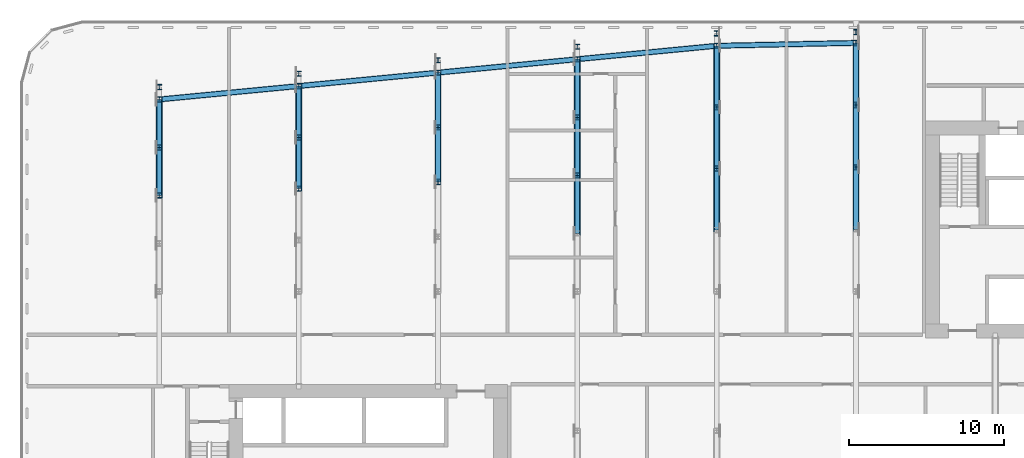
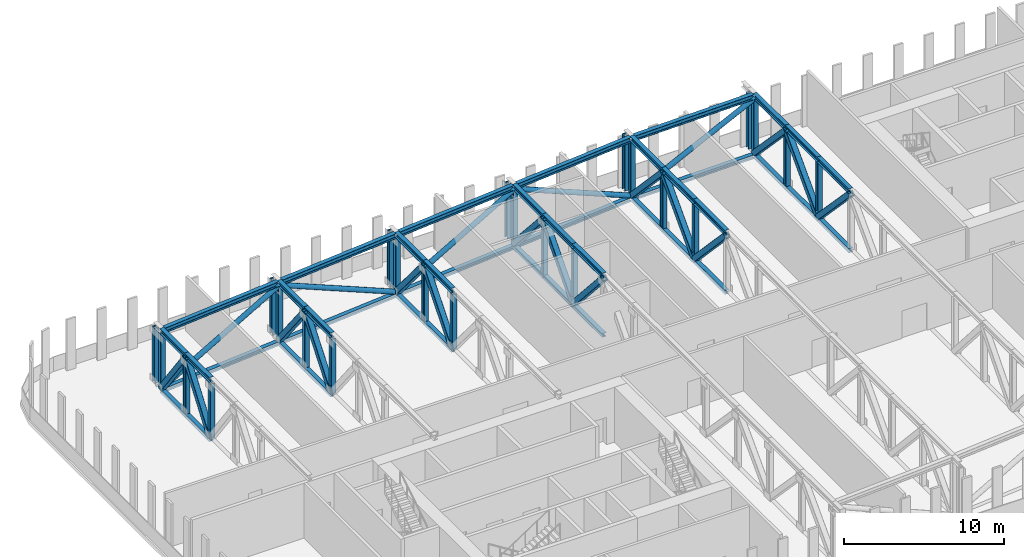
# One storey, part 3 of 22: 84 members.
"""IFC4 building model written with IfcOpenShell, lengths in metres."""

from ifc_helpers import new_model, si_unit, direction, frame, origin, origin_2d, place, context, subcontext, project, spatial, hollow_rectangle, hollow_circle, i_section, extrude, material, material_profile, profile_set, type_object, element, save


model = new_model("IFC4")

# Units and contexts
model_context = context("Model", 3, precision=1e-05, world=origin(), true_north=direction((0.0, 1.0)))
body_context = subcontext(model_context, "Body", "Model", "MODEL_VIEW")
ifc_project = project(units=[si_unit("LENGTHUNIT", "METRE"), si_unit("AREAUNIT", "SQUARE_METRE"), si_unit("VOLUMEUNIT", "CUBIC_METRE"), si_unit("PLANEANGLEUNIT", "RADIAN"), si_unit("MASSUNIT", "GRAM", prefix="KILO")], contexts=[model_context])

# Site, building, storey
site_placement = place(None, origin())
site = spatial("IfcSite", under=ifc_project, at=site_placement, CompositionType="ELEMENT")
building_placement = place(site_placement, origin())
building = spatial("IfcBuilding", under=site, at=building_placement, Name="Kajstack Hotel Tower", CompositionType="ELEMENT")
storey_placement = place(building_placement, frame((0.0, 0.0, 99.60009765625)))
storey = spatial("IfcBuildingStorey", under=building, at=storey_placement, Name="L21", CompositionType="ELEMENT", Elevation=99.60009765625)

# Members
ifc_material = material(Name="Steel S355J2", Category="steel")
ifc_material_profile_1 = material_profile(ifc_material, i_section(OverallWidth=0.300048828125, OverallDepth=0.300048828125, WebThickness=0.010986328125, FlangeThickness=0.01904296875, FilletRadius=0.027099609375, at=origin_2d()), Name="HEB 300")
ifc_profile_set_1 = profile_set([ifc_material_profile_1], Name="Steel S355J2")
member_type_1 = type_object("IfcMemberType", Name="Belt truss bottom chord BB2 HEB 300", PredefinedType="CHORD", material=ifc_profile_set_1)
for number, where, z_axis, x_axis, name in (
    (1, (-35.8505859375, 16.91015625, -0.150146484375), (0.995395510024, 0.095852900965, 0.0), (-0.095852900965, 0.995395510024, 0.0), "S-belt-truss-L21-n01-b"),
    (2, (-26.8505859375, 17.77685546875, -0.150146484375), (0.995398174412, 0.095825228294, 0.0), (-0.095825228294, 0.995398174412, 0.0), "S-belt-truss-L21-n02-b"),
    (3, (-17.8505859375, 18.643310546875, -0.150146484375), (0.995395510024, 0.095852900965, 0.0), (-0.095852900965, 0.995395510024, 0.0), "S-belt-truss-L21-n03-b"),
    (4, (-8.8505859375, 19.510009765625, -0.150146484375), (0.995395510024, 0.095852900965, 0.0), (-0.095852900965, 0.995395510024, 0.0), "S-belt-truss-L21-n04-b"),
):
    element("IfcMember", number, at=place(storey_placement, frame(where, z_axis=z_axis, x_axis=x_axis)), inside=storey, type_object=member_type_1, Name=name, PredefinedType="CHORD", context=body_context, shape_type="SweptSolid", body=[
        extrude(i_section(OverallWidth=0.300048828125, OverallDepth=0.300048828125, WebThickness=0.010986328125, FlangeThickness=0.01904296875, FilletRadius=0.027099609375, at=origin_2d()), origin(), (0.0, 0.0, 1.0), 8.741455078125),
    ])
member_1_placement = place(storey_placement, frame((0.14990234375, 20.365234375, -0.150146484375), z_axis=(0.999782130705, 0.020873215435, 0.0), x_axis=(-0.020873215435, 0.999782130705, 0.0)))
element("IfcMember", 5, at=member_1_placement, inside=storey, type_object=member_type_1, Name="S-belt-truss-L21-n05-b", PredefinedType="CHORD", context=body_context, shape_type="SweptSolid", body=[
    extrude(i_section(OverallWidth=0.300048828125, OverallDepth=0.300048828125, WebThickness=0.010986328125, FlangeThickness=0.01904296875, FilletRadius=0.027099609375, at=origin_2d()), origin(), (0.0, 0.0, 1.0), 8.7021484375),
])
ifc_material_profile_2 = material_profile(ifc_material, i_section(OverallWidth=0.300048828125, OverallDepth=0.300048828125, WebThickness=0.010986328125, FlangeThickness=0.01904296875, FilletRadius=0.027099609375, at=origin_2d()), Name="HEB 300")
ifc_profile_set_2 = profile_set([ifc_material_profile_2], Name="Steel S355J2")
member_type_2 = type_object("IfcMemberType", Name="Belt truss bottom chord BC2 HEB 300", PredefinedType="CHORD", material=ifc_profile_set_2)
for number, where, z_axis, x_axis, name in (
    (6, (-36.0, 10.697998046875, -0.150146484375), (0.0, 1.0, 0.0), (-1.0, 0.0, 0.0), "S-belt-truss-L21--36p0-1-bc10"),
    (7, (-36.0, 13.796875, -0.150146484375), (0.0, 1.0, 0.0), (-1.0, 0.0, 0.0), "S-belt-truss-L21--36p0-1-bc11"),
):
    element("IfcMember", number, at=place(storey_placement, frame(where, z_axis=z_axis, x_axis=x_axis)), inside=storey, type_object=member_type_2, Name=name, PredefinedType="CHORD", context=body_context, shape_type="SweptSolid", body=[
        extrude(i_section(OverallWidth=0.300048828125, OverallDepth=0.300048828125, WebThickness=0.010986328125, FlangeThickness=0.01904296875, FilletRadius=0.027099609375, at=origin_2d()), origin(), (0.0, 0.0, 1.0), 3.098876953125),
    ])
for number, where, z_axis, x_axis, name in (
    (8, (-27.0, 11.131103515625, -0.150146484375), (0.0, 1.0, 0.0), (-1.0, 0.0, 0.0), "S-outrigger-truss-L21--27p0-1-bc10"),
    (9, (-27.0, 14.44677734375, -0.150146484375), (0.0, 1.0, 0.0), (-1.0, 0.0, 0.0), "S-outrigger-truss-L21--27p0-1-bc11"),
):
    element("IfcMember", number, at=place(storey_placement, frame(where, z_axis=z_axis, x_axis=x_axis)), inside=storey, type_object=member_type_2, Name=name, PredefinedType="CHORD", context=body_context, shape_type="SweptSolid", body=[
        extrude(i_section(OverallWidth=0.300048828125, OverallDepth=0.300048828125, WebThickness=0.010986328125, FlangeThickness=0.01904296875, FilletRadius=0.027099609375, at=origin_2d()), origin(), (0.0, 0.0, 1.0), 3.315673828125),
    ])
for number, where, z_axis, x_axis, name in (
    (10, (-18.0, 11.564453125, -0.150146484375), (0.0, 1.0, 0.0), (-1.0, 0.0, 0.0), "S-outrigger-truss-L21--18p0-1-bc10"),
    (11, (-18.0, 15.0966796875, -0.150146484375), (0.0, 1.0, 0.0), (-1.0, 0.0, 0.0), "S-outrigger-truss-L21--18p0-1-bc11"),
):
    element("IfcMember", number, at=place(storey_placement, frame(where, z_axis=z_axis, x_axis=x_axis)), inside=storey, type_object=member_type_2, Name=name, PredefinedType="CHORD", context=body_context, shape_type="SweptSolid", body=[
        extrude(i_section(OverallWidth=0.300048828125, OverallDepth=0.300048828125, WebThickness=0.010986328125, FlangeThickness=0.01904296875, FilletRadius=0.027099609375, at=origin_2d()), origin(), (0.0, 0.0, 1.0), 3.5322265625),
    ])
member_2_placement = place(storey_placement, frame((-9.0, 8.248779296875, -0.150146484375), z_axis=(0.0, 1.0, 0.0), x_axis=(-1.0, 0.0, 0.0)))
element("IfcMember", 12, at=member_2_placement, inside=storey, type_object=member_type_2, Name="S-belt-truss-L21--9p0-1-bc18", PredefinedType="CHORD", context=body_context, shape_type="SweptSolid", body=[
    extrude(i_section(OverallWidth=0.300048828125, OverallDepth=0.300048828125, WebThickness=0.010986328125, FlangeThickness=0.01904296875, FilletRadius=0.027099609375, at=origin_2d()), origin(), (0.0, 0.0, 1.0), 3.7490234375),
])
member_3_placement = place(storey_placement, frame((-9.0, 11.997802734375, -0.150146484375), z_axis=(0.0, 1.0, 0.0), x_axis=(-1.0, 0.0, 0.0)))
element("IfcMember", 13, at=member_3_placement, inside=storey, type_object=member_type_2, Name="S-belt-truss-L21--9p0-1-bc19", PredefinedType="CHORD", context=body_context, shape_type="SweptSolid", body=[
    extrude(i_section(OverallWidth=0.300048828125, OverallDepth=0.300048828125, WebThickness=0.010986328125, FlangeThickness=0.01904296875, FilletRadius=0.027099609375, at=origin_2d()), origin(), (0.0, 0.0, 1.0), 3.748779296875),
])
member_4_placement = place(storey_placement, frame((-9.0, 15.74658203125, -0.150146484375), z_axis=(0.0, 1.0, 0.0), x_axis=(-1.0, 0.0, 0.0)))
element("IfcMember", 14, at=member_4_placement, inside=storey, type_object=member_type_2, Name="S-belt-truss-L21--9p0-1-bc20", PredefinedType="CHORD", context=body_context, shape_type="SweptSolid", body=[
    extrude(i_section(OverallWidth=0.300048828125, OverallDepth=0.300048828125, WebThickness=0.010986328125, FlangeThickness=0.01904296875, FilletRadius=0.027099609375, at=origin_2d()), origin(), (0.0, 0.0, 1.0), 3.7490234375),
])
for number, where, z_axis, x_axis, name in (
    (15, (0.0, 8.465576171875, -0.150146484375), (0.0, 1.0, 0.0), (-1.0, 0.0, 0.0), "S-belt-truss-L21-+0p0-1-bc19"),
    (16, (0.0, 12.43115234375, -0.150146484375), (0.0, 1.0, 0.0), (-1.0, 0.0, 0.0), "S-belt-truss-L21-+0p0-1-bc20"),
    (17, (0.0, 16.396728515625, -0.150146484375), (0.0, 1.0, 0.0), (-1.0, 0.0, 0.0), "S-belt-truss-L21-+0p0-1-bc21"),
):
    element("IfcMember", number, at=place(storey_placement, frame(where, z_axis=z_axis, x_axis=x_axis)), inside=storey, type_object=member_type_2, Name=name, PredefinedType="CHORD", context=body_context, shape_type="SweptSolid", body=[
        extrude(i_section(OverallWidth=0.300048828125, OverallDepth=0.300048828125, WebThickness=0.010986328125, FlangeThickness=0.01904296875, FilletRadius=0.027099609375, at=origin_2d()), origin(), (0.0, 0.0, 1.0), 3.965576171875),
    ])
member_5_placement = place(storey_placement, frame((9.0, 8.512451171875, -0.150146484375), z_axis=(0.0, 1.0, 0.0), x_axis=(-1.0, 0.0, 0.0)))
element("IfcMember", 18, at=member_5_placement, inside=storey, type_object=member_type_2, Name="S-belt-truss-L21-+9p0-1-bc20", PredefinedType="CHORD", context=body_context, shape_type="SweptSolid", body=[
    extrude(i_section(OverallWidth=0.300048828125, OverallDepth=0.300048828125, WebThickness=0.010986328125, FlangeThickness=0.01904296875, FilletRadius=0.027099609375, at=origin_2d()), origin(), (0.0, 0.0, 1.0), 4.012451171875),
])
member_6_placement = place(storey_placement, frame((9.0, 12.52490234375, -0.150146484375), z_axis=(0.0, 1.0, 0.0), x_axis=(-1.0, 0.0, 0.0)))
element("IfcMember", 19, at=member_6_placement, inside=storey, type_object=member_type_2, Name="S-belt-truss-L21-+9p0-1-bc21", PredefinedType="CHORD", context=body_context, shape_type="SweptSolid", body=[
    extrude(i_section(OverallWidth=0.300048828125, OverallDepth=0.300048828125, WebThickness=0.010986328125, FlangeThickness=0.01904296875, FilletRadius=0.027099609375, at=origin_2d()), origin(), (0.0, 0.0, 1.0), 4.0126953125),
])
member_7_placement = place(storey_placement, frame((9.0, 16.53759765625, -0.150146484375), z_axis=(0.0, 1.0, 0.0), x_axis=(-1.0, 0.0, 0.0)))
element("IfcMember", 20, at=member_7_placement, inside=storey, type_object=member_type_2, Name="S-belt-truss-L21-+9p0-1-bc22", PredefinedType="CHORD", context=body_context, shape_type="SweptSolid", body=[
    extrude(i_section(OverallWidth=0.300048828125, OverallDepth=0.300048828125, WebThickness=0.010986328125, FlangeThickness=0.01904296875, FilletRadius=0.027099609375, at=origin_2d()), origin(), (0.0, 0.0, 1.0), 4.012451171875),
])
ifc_material_profile_3 = material_profile(ifc_material, hollow_circle(Radius=0.177734375, WallThickness=0.01611328125, at=origin_2d()), Name="CHS 355.6x16")
ifc_profile_set_3 = profile_set([ifc_material_profile_3], Name="Steel S355J2")
member_type_3 = type_object("IfcMemberType", Name="Belt truss diagonal BD2 CHS 355.6x16", PredefinedType="BRACE", material=ifc_profile_set_3)
for number, where, z_axis, x_axis, name in (
    (21, (-36.0, 16.895751953125, 0.0), (0.902372121579, 0.086898356977, 0.422105709215), (-0.095856468129, 0.995395166513, 0.0), "S-belt-truss-L21-n01-d"),
    (22, (-18.0, 18.62890625, 0.0), (-0.902374040781, -0.086874063334, 0.422106606967), (0.095829714309, -0.995397742541, 0.0), "S-belt-truss-L21-n02-d"),
    (23, (-18.0, 18.62890625, 0.0), (0.902372121579, 0.086898356977, 0.422105709215), (-0.095856468129, 0.995395166513, 0.0), "S-belt-truss-L21-n03-d"),
    (24, (0.0, 20.3623046875, 0.0), (-0.902372121579, -0.086898356977, 0.422105709215), (0.095856468129, -0.995395166513, 0.0), "S-belt-truss-L21-n04-d"),
):
    element("IfcMember", number, at=place(storey_placement, frame(where, z_axis=z_axis, x_axis=x_axis)), inside=storey, type_object=member_type_3, Name=name, PredefinedType="BRACE", context=body_context, shape_type="SweptSolid", body=[
        extrude(hollow_circle(Radius=0.177734375, WallThickness=0.01611328125, at=origin_2d()), origin(), (0.0, 0.0, 1.0), 9.9736328125),
    ])
member_8_placement = place(storey_placement, frame((0.0, 20.3623046875, 0.0), z_axis=(0.905636934251, 0.018892003104, 0.423632901861), x_axis=(-0.020855922744, 0.999782491588, 0.0)))
element("IfcMember", 25, at=member_8_placement, inside=storey, type_object=member_type_3, Name="S-belt-truss-L21-n05-d", PredefinedType="BRACE", context=body_context, shape_type="SweptSolid", body=[
    extrude(hollow_circle(Radius=0.177734375, WallThickness=0.01611328125, at=origin_2d()), origin(), (0.0, 0.0, 1.0), 9.937744140625),
])
ifc_material_profile_4 = material_profile(ifc_material, hollow_rectangle(XDim=0.39990234375, YDim=0.39990234375, WallThickness=0.02001953125, InnerFilletRadius=0.02001953125, OuterFilletRadius=0.030029296875, at=origin_2d()), Name="SHS 400x400x20")
ifc_profile_set_4 = profile_set([ifc_material_profile_4], Name="Steel S355J2")
member_type_4 = type_object("IfcMemberType", Name="Belt truss diagonal DG2 SHS 400x400x20", PredefinedType="BRACE", material=ifc_profile_set_4)
for number, where, z_axis, x_axis, name in (
    (26, (-36.0, 10.697998046875, 0.0), (0.0, 0.592802283265, 0.805348032192), (-1.0, 0.0, 0.0), "S-belt-truss-L21--36p0-1-dg21"),
    (27, (-36.0, 16.895751953125, 0.0), (0.0, -0.592802283265, 0.805348032192), (1.0, 0.0, 0.0), "S-belt-truss-L21--36p0-1-dg22"),
):
    element("IfcMember", number, at=place(storey_placement, frame(where, z_axis=z_axis, x_axis=x_axis)), inside=storey, type_object=member_type_4, Name=name, PredefinedType="BRACE", context=body_context, shape_type="SweptSolid", body=[
        extrude(hollow_rectangle(XDim=0.39990234375, YDim=0.39990234375, WallThickness=0.02001953125, InnerFilletRadius=0.02001953125, OuterFilletRadius=0.030029296875, at=origin_2d()), origin(), (0.0, 0.0, 1.0), 5.2275390625),
    ])
for number, where, z_axis, x_axis, name in (
    (28, (-27.0, 11.131103515625, 0.0), (0.0, 0.618726558632, 0.785606419044), (-1.0, 0.0, 0.0), "S-outrigger-truss-L21--27p0-1-dg21"),
    (29, (-27.0, 17.762451171875, 0.0), (0.0, -0.618726558632, 0.785606419044), (1.0, 0.0, 0.0), "S-outrigger-truss-L21--27p0-1-dg22"),
):
    element("IfcMember", number, at=place(storey_placement, frame(where, z_axis=z_axis, x_axis=x_axis)), inside=storey, type_object=member_type_4, Name=name, PredefinedType="BRACE", context=body_context, shape_type="SweptSolid", body=[
        extrude(hollow_rectangle(XDim=0.39990234375, YDim=0.39990234375, WallThickness=0.02001953125, InnerFilletRadius=0.02001953125, OuterFilletRadius=0.030029296875, at=origin_2d()), origin(), (0.0, 0.0, 1.0), 5.35888671875),
    ])
for number, where, z_axis, x_axis, name in (
    (30, (-18.0, 11.564453125, 0.0), (0.0, 0.642750223443, 0.766075812348), (-1.0, 0.0, 0.0), "S-outrigger-truss-L21--18p0-1-dg21"),
    (31, (-18.0, 18.62890625, 0.0), (0.0, -0.642750223443, 0.766075812348), (1.0, 0.0, 0.0), "S-outrigger-truss-L21--18p0-1-dg22"),
):
    element("IfcMember", number, at=place(storey_placement, frame(where, z_axis=z_axis, x_axis=x_axis)), inside=storey, type_object=member_type_4, Name=name, PredefinedType="BRACE", context=body_context, shape_type="SweptSolid", body=[
        extrude(hollow_rectangle(XDim=0.39990234375, YDim=0.39990234375, WallThickness=0.02001953125, InnerFilletRadius=0.02001953125, OuterFilletRadius=0.030029296875, at=origin_2d()), origin(), (0.0, 0.0, 1.0), 5.49560546875),
    ])
for number, where, z_axis, x_axis, name in (
    (32, (-9.0, 11.997802734375, 0.0), (0.0, -0.665040966199, 0.746806878167), (1.0, 0.0, 0.0), "S-belt-truss-L21--9p0-1-dg38"),
    (33, (-9.0, 11.997802734375, 0.0), (0.0, 0.665016811275, 0.746828387732), (-1.0, 0.0, 0.0), "S-belt-truss-L21--9p0-1-dg39"),
    (34, (-9.0, 19.49560546875, 0.0), (0.0, -0.665040966199, 0.746806878167), (1.0, 0.0, 0.0), "S-belt-truss-L21--9p0-1-dg40"),
):
    element("IfcMember", number, at=place(storey_placement, frame(where, z_axis=z_axis, x_axis=x_axis)), inside=storey, type_object=member_type_4, Name=name, PredefinedType="BRACE", context=body_context, shape_type="SweptSolid", body=[
        extrude(hollow_rectangle(XDim=0.39990234375, YDim=0.39990234375, WallThickness=0.02001953125, InnerFilletRadius=0.02001953125, OuterFilletRadius=0.030029296875, at=origin_2d()), origin(), (0.0, 0.0, 1.0), 5.63720703125),
    ])
for number, where, z_axis, x_axis, name in (
    (35, (0.0, 12.43115234375, 0.0), (0.0, -0.685663539325, 0.727918615534), (1.0, 0.0, 0.0), "S-belt-truss-L21-+0p0-1-dg40"),
    (36, (0.0, 12.43115234375, 0.0), (0.0, 0.685663539325, 0.727918615534), (-1.0, 0.0, 0.0), "S-belt-truss-L21-+0p0-1-dg41"),
    (37, (0.0, 20.3623046875, 0.0), (0.0, -0.685663539325, 0.727918615534), (1.0, 0.0, 0.0), "S-belt-truss-L21-+0p0-1-dg42"),
):
    element("IfcMember", number, at=place(storey_placement, frame(where, z_axis=z_axis, x_axis=x_axis)), inside=storey, type_object=member_type_4, Name=name, PredefinedType="BRACE", context=body_context, shape_type="SweptSolid", body=[
        extrude(hollow_rectangle(XDim=0.39990234375, YDim=0.39990234375, WallThickness=0.02001953125, InnerFilletRadius=0.02001953125, OuterFilletRadius=0.030029296875, at=origin_2d()), origin(), (0.0, 0.0, 1.0), 5.783447265625),
    ])
for number, where, z_axis, x_axis, name in (
    (38, (9.0, 12.52490234375, 0.0), (0.0, -0.689922422397, 0.723883313162), (1.0, 0.0, 0.0), "S-belt-truss-L21-+9p0-1-dg41"),
    (39, (9.0, 12.52490234375, 0.0), (0.0, 0.689944418655, 0.723862348217), (-1.0, 0.0, 0.0), "S-belt-truss-L21-+9p0-1-dg42"),
    (40, (9.0, 20.550048828125, 0.0), (0.0, -0.689922422397, 0.723883313162), (1.0, 0.0, 0.0), "S-belt-truss-L21-+9p0-1-dg43"),
):
    element("IfcMember", number, at=place(storey_placement, frame(where, z_axis=z_axis, x_axis=x_axis)), inside=storey, type_object=member_type_4, Name=name, PredefinedType="BRACE", context=body_context, shape_type="SweptSolid", body=[
        extrude(hollow_rectangle(XDim=0.39990234375, YDim=0.39990234375, WallThickness=0.02001953125, InnerFilletRadius=0.02001953125, OuterFilletRadius=0.030029296875, at=origin_2d()), origin(), (0.0, 0.0, 1.0), 5.81591796875),
    ])
ifc_material_profile_5 = material_profile(ifc_material, i_section(OverallWidth=0.31005859375, OverallDepth=0.340087890625, WebThickness=0.02099609375, FlangeThickness=0.0390625, FilletRadius=0.027099609375, at=origin_2d()), Name="HEM 300")
ifc_profile_set_5 = profile_set([ifc_material_profile_5], Name="Steel S355J2")
member_type_5 = type_object("IfcMemberType", Name="Belt truss post PO2 HEM 300", PredefinedType="POST", material=ifc_profile_set_5)
for number, where, z_axis, x_axis, name in (
    (41, (-36.0, 10.697998046875, 0.0), (0.0, 0.0, 1.0), (1.0, 0.0, 0.0), "S-belt-truss-L21--36p0-1-po15"),
    (42, (-36.0, 13.796875, 0.0), (0.0, 0.0, 1.0), (1.0, 0.0, 0.0), "S-belt-truss-L21--36p0-1-po16"),
    (43, (-36.0, 16.895751953125, 0.0), (0.0, 0.0, 1.0), (1.0, 0.0, 0.0), "S-belt-truss-L21--36p0-1-po17"),
    (44, (-36.0, 17.69580078125, 0.0), (0.0, 0.0, 1.0), (1.0, 0.0, 0.0), "S-belt-truss-L21--36p0-1-po18"),
    (45, (-27.0, 11.131103515625, 0.0), (0.0, 0.0, 1.0), (1.0, 0.0, 0.0), "S-outrigger-truss-L21--27p0-1-po15"),
    (46, (-27.0, 14.44677734375, 0.0), (0.0, 0.0, 1.0), (1.0, 0.0, 0.0), "S-outrigger-truss-L21--27p0-1-po16"),
    (47, (-27.0, 17.762451171875, 0.0), (0.0, 0.0, 1.0), (1.0, 0.0, 0.0), "S-outrigger-truss-L21--27p0-1-po17"),
    (48, (-27.0, 18.5625, 0.0), (0.0, 0.0, 1.0), (1.0, 0.0, 0.0), "S-outrigger-truss-L21--27p0-1-po18"),
    (49, (-18.0, 11.564453125, 0.0), (0.0, 0.0, 1.0), (1.0, 0.0, 0.0), "S-outrigger-truss-L21--18p0-1-po15"),
    (50, (-18.0, 15.0966796875, 0.0), (0.0, 0.0, 1.0), (1.0, 0.0, 0.0), "S-outrigger-truss-L21--18p0-1-po16"),
    (51, (-18.0, 18.62890625, 0.0), (0.0, 0.0, 1.0), (1.0, 0.0, 0.0), "S-outrigger-truss-L21--18p0-1-po17"),
    (52, (-18.0, 19.428955078125, 0.0), (0.0, 0.0, 1.0), (1.0, 0.0, 0.0), "S-outrigger-truss-L21--18p0-1-po18"),
    (53, (-9.0, 11.997802734375, 0.0), (0.0, 0.0, 1.0), (1.0, 0.0, 0.0), "S-belt-truss-L21--9p0-1-po29"),
    (54, (-9.0, 15.74658203125, 0.0), (0.0, 0.0, 1.0), (1.0, 0.0, 0.0), "S-belt-truss-L21--9p0-1-po30"),
    (55, (-9.0, 19.49560546875, 0.0), (0.0, 0.0, 1.0), (1.0, 0.0, 0.0), "S-belt-truss-L21--9p0-1-po31"),
    (56, (-9.0, 20.295654296875, 0.0), (0.0, 0.0, 1.0), (1.0, 0.0, 0.0), "S-belt-truss-L21--9p0-1-po32"),
    (57, (0.0, 12.43115234375, 0.0), (0.0, 0.0, 1.0), (1.0, 0.0, 0.0), "S-belt-truss-L21-+0p0-1-po31"),
    (58, (0.0, 16.396728515625, 0.0), (0.0, 0.0, 1.0), (1.0, 0.0, 0.0), "S-belt-truss-L21-+0p0-1-po32"),
    (59, (0.0, 20.3623046875, 0.0), (0.0, 0.0, 1.0), (1.0, 0.0, 0.0), "S-belt-truss-L21-+0p0-1-po33"),
    (60, (0.0, 21.162109375, 0.0), (0.0, 0.0, 1.0), (1.0, 0.0, 0.0), "S-belt-truss-L21-+0p0-1-po34"),
    (61, (9.0, 12.52490234375, 0.0), (0.0, 0.0, 1.0), (1.0, 0.0, 0.0), "S-belt-truss-L21-+9p0-1-po32"),
    (62, (9.0, 16.53759765625, 0.0), (0.0, 0.0, 1.0), (1.0, 0.0, 0.0), "S-belt-truss-L21-+9p0-1-po33"),
    (63, (9.0, 20.550048828125, 0.0), (0.0, 0.0, 1.0), (1.0, 0.0, 0.0), "S-belt-truss-L21-+9p0-1-po34"),
    (64, (9.0, 21.25, 0.0), (0.0, 0.0, 1.0), (1.0, 0.0, 0.0), "S-belt-truss-L21-+9p0-1-po35"),
):
    element("IfcMember", number, at=place(storey_placement, frame(where, z_axis=z_axis, x_axis=x_axis)), inside=storey, type_object=member_type_5, Name=name, PredefinedType="POST", context=body_context, shape_type="SweptSolid", body=[
        extrude(i_section(OverallWidth=0.31005859375, OverallDepth=0.340087890625, WebThickness=0.02099609375, FlangeThickness=0.0390625, FilletRadius=0.027099609375, at=origin_2d()), origin(), (0.0, 0.0, 1.0), 4.2099609375),
    ])
ifc_material_profile_6 = material_profile(ifc_material, i_section(OverallWidth=0.300048828125, OverallDepth=0.389892578125, WebThickness=0.010986328125, FlangeThickness=0.01904296875, FilletRadius=0.027099609375, at=origin_2d()), Name="HEA 400")
ifc_profile_set_6 = profile_set([ifc_material_profile_6], Name="Steel S355J2")
member_type_6 = type_object("IfcMemberType", Name="Belt truss top chord BT2 HEA 400", PredefinedType="CHORD", material=ifc_profile_set_6)
for number, where, z_axis, x_axis, name in (
    (65, (-35.8505859375, 16.91015625, 4.40478515625), (0.995395510024, 0.095852900965, 0.0), (-0.095852900965, 0.995395510024, 0.0), "S-belt-truss-L21-n01-t"),
    (66, (-26.8505859375, 17.77685546875, 4.40478515625), (0.995398174412, 0.095825228294, 0.0), (-0.095825228294, 0.995398174412, 0.0), "S-belt-truss-L21-n02-t"),
    (67, (-17.8505859375, 18.643310546875, 4.40478515625), (0.995395510024, 0.095852900965, 0.0), (-0.095852900965, 0.995395510024, 0.0), "S-belt-truss-L21-n03-t"),
    (68, (-8.8505859375, 19.510009765625, 4.40478515625), (0.995395510024, 0.095852900965, 0.0), (-0.095852900965, 0.995395510024, 0.0), "S-belt-truss-L21-n04-t"),
):
    element("IfcMember", number, at=place(storey_placement, frame(where, z_axis=z_axis, x_axis=x_axis)), inside=storey, type_object=member_type_6, Name=name, PredefinedType="CHORD", context=body_context, shape_type="SweptSolid", body=[
        extrude(i_section(OverallWidth=0.300048828125, OverallDepth=0.389892578125, WebThickness=0.010986328125, FlangeThickness=0.01904296875, FilletRadius=0.027099609375, at=origin_2d()), origin(), (0.0, 0.0, 1.0), 8.741455078125),
    ])
member_9_placement = place(storey_placement, frame((0.14990234375, 20.365234375, 4.40478515625), z_axis=(0.999782130705, 0.020873215435, 0.0), x_axis=(-0.020873215435, 0.999782130705, 0.0)))
element("IfcMember", 69, at=member_9_placement, inside=storey, type_object=member_type_6, Name="S-belt-truss-L21-n05-t", PredefinedType="CHORD", context=body_context, shape_type="SweptSolid", body=[
    extrude(i_section(OverallWidth=0.300048828125, OverallDepth=0.389892578125, WebThickness=0.010986328125, FlangeThickness=0.01904296875, FilletRadius=0.027099609375, at=origin_2d()), origin(), (0.0, 0.0, 1.0), 8.7021484375),
])
ifc_material_profile_7 = material_profile(ifc_material, i_section(OverallWidth=0.300048828125, OverallDepth=0.389892578125, WebThickness=0.010986328125, FlangeThickness=0.01904296875, FilletRadius=0.027099609375, at=origin_2d()), Name="HEA 400")
ifc_profile_set_7 = profile_set([ifc_material_profile_7], Name="Steel S355J2")
member_type_7 = type_object("IfcMemberType", Name="Belt truss top chord TC2 HEA 400", PredefinedType="CHORD", material=ifc_profile_set_7)
for number, where, z_axis, x_axis, name in (
    (70, (-36.0, 10.697998046875, 4.40478515625), (0.0, 1.0, 0.0), (-1.0, 0.0, 0.0), "S-belt-truss-L21--36p0-1-tc4"),
    (71, (-36.0, 13.796875, 4.40478515625), (0.0, 1.0, 0.0), (-1.0, 0.0, 0.0), "S-belt-truss-L21--36p0-1-tc5"),
):
    element("IfcMember", number, at=place(storey_placement, frame(where, z_axis=z_axis, x_axis=x_axis)), inside=storey, type_object=member_type_7, Name=name, PredefinedType="CHORD", context=body_context, shape_type="SweptSolid", body=[
        extrude(i_section(OverallWidth=0.300048828125, OverallDepth=0.389892578125, WebThickness=0.010986328125, FlangeThickness=0.01904296875, FilletRadius=0.027099609375, at=origin_2d()), origin(), (0.0, 0.0, 1.0), 3.098876953125),
    ])
for number, where, z_axis, x_axis, name in (
    (72, (-27.0, 11.131103515625, 4.40478515625), (0.0, 1.0, 0.0), (-1.0, 0.0, 0.0), "S-outrigger-truss-L21--27p0-1-tc4"),
    (73, (-27.0, 14.44677734375, 4.40478515625), (0.0, 1.0, 0.0), (-1.0, 0.0, 0.0), "S-outrigger-truss-L21--27p0-1-tc5"),
):
    element("IfcMember", number, at=place(storey_placement, frame(where, z_axis=z_axis, x_axis=x_axis)), inside=storey, type_object=member_type_7, Name=name, PredefinedType="CHORD", context=body_context, shape_type="SweptSolid", body=[
        extrude(i_section(OverallWidth=0.300048828125, OverallDepth=0.389892578125, WebThickness=0.010986328125, FlangeThickness=0.01904296875, FilletRadius=0.027099609375, at=origin_2d()), origin(), (0.0, 0.0, 1.0), 3.315673828125),
    ])
for number, where, z_axis, x_axis, name in (
    (74, (-18.0, 11.564453125, 4.40478515625), (0.0, 1.0, 0.0), (-1.0, 0.0, 0.0), "S-outrigger-truss-L21--18p0-1-tc4"),
    (75, (-18.0, 15.0966796875, 4.40478515625), (0.0, 1.0, 0.0), (-1.0, 0.0, 0.0), "S-outrigger-truss-L21--18p0-1-tc5"),
):
    element("IfcMember", number, at=place(storey_placement, frame(where, z_axis=z_axis, x_axis=x_axis)), inside=storey, type_object=member_type_7, Name=name, PredefinedType="CHORD", context=body_context, shape_type="SweptSolid", body=[
        extrude(i_section(OverallWidth=0.300048828125, OverallDepth=0.389892578125, WebThickness=0.010986328125, FlangeThickness=0.01904296875, FilletRadius=0.027099609375, at=origin_2d()), origin(), (0.0, 0.0, 1.0), 3.5322265625),
    ])
member_10_placement = place(storey_placement, frame((-9.0, 8.248779296875, 4.40478515625), z_axis=(0.0, 1.0, 0.0), x_axis=(-1.0, 0.0, 0.0)))
element("IfcMember", 76, at=member_10_placement, inside=storey, type_object=member_type_7, Name="S-belt-truss-L21--9p0-1-tc8", PredefinedType="CHORD", context=body_context, shape_type="SweptSolid", body=[
    extrude(i_section(OverallWidth=0.300048828125, OverallDepth=0.389892578125, WebThickness=0.010986328125, FlangeThickness=0.01904296875, FilletRadius=0.027099609375, at=origin_2d()), origin(), (0.0, 0.0, 1.0), 3.7490234375),
])
member_11_placement = place(storey_placement, frame((-9.0, 11.997802734375, 4.40478515625), z_axis=(0.0, 1.0, 0.0), x_axis=(-1.0, 0.0, 0.0)))
element("IfcMember", 77, at=member_11_placement, inside=storey, type_object=member_type_7, Name="S-belt-truss-L21--9p0-1-tc9", PredefinedType="CHORD", context=body_context, shape_type="SweptSolid", body=[
    extrude(i_section(OverallWidth=0.300048828125, OverallDepth=0.389892578125, WebThickness=0.010986328125, FlangeThickness=0.01904296875, FilletRadius=0.027099609375, at=origin_2d()), origin(), (0.0, 0.0, 1.0), 3.748779296875),
])
member_12_placement = place(storey_placement, frame((-9.0, 15.74658203125, 4.40478515625), z_axis=(0.0, 1.0, 0.0), x_axis=(-1.0, 0.0, 0.0)))
element("IfcMember", 78, at=member_12_placement, inside=storey, type_object=member_type_7, Name="S-belt-truss-L21--9p0-1-tc10", PredefinedType="CHORD", context=body_context, shape_type="SweptSolid", body=[
    extrude(i_section(OverallWidth=0.300048828125, OverallDepth=0.389892578125, WebThickness=0.010986328125, FlangeThickness=0.01904296875, FilletRadius=0.027099609375, at=origin_2d()), origin(), (0.0, 0.0, 1.0), 3.7490234375),
])
for number, where, z_axis, x_axis, name in (
    (79, (0.0, 8.465576171875, 4.40478515625), (0.0, 1.0, 0.0), (-1.0, 0.0, 0.0), "S-belt-truss-L21-+0p0-1-tc8"),
    (80, (0.0, 12.43115234375, 4.40478515625), (0.0, 1.0, 0.0), (-1.0, 0.0, 0.0), "S-belt-truss-L21-+0p0-1-tc9"),
    (81, (0.0, 16.396728515625, 4.40478515625), (0.0, 1.0, 0.0), (-1.0, 0.0, 0.0), "S-belt-truss-L21-+0p0-1-tc10"),
):
    element("IfcMember", number, at=place(storey_placement, frame(where, z_axis=z_axis, x_axis=x_axis)), inside=storey, type_object=member_type_7, Name=name, PredefinedType="CHORD", context=body_context, shape_type="SweptSolid", body=[
        extrude(i_section(OverallWidth=0.300048828125, OverallDepth=0.389892578125, WebThickness=0.010986328125, FlangeThickness=0.01904296875, FilletRadius=0.027099609375, at=origin_2d()), origin(), (0.0, 0.0, 1.0), 3.965576171875),
    ])
member_13_placement = place(storey_placement, frame((9.0, 8.512451171875, 4.40478515625), z_axis=(0.0, 1.0, 0.0), x_axis=(-1.0, 0.0, 0.0)))
element("IfcMember", 82, at=member_13_placement, inside=storey, type_object=member_type_7, Name="S-belt-truss-L21-+9p0-1-tc8", PredefinedType="CHORD", context=body_context, shape_type="SweptSolid", body=[
    extrude(i_section(OverallWidth=0.300048828125, OverallDepth=0.389892578125, WebThickness=0.010986328125, FlangeThickness=0.01904296875, FilletRadius=0.027099609375, at=origin_2d()), origin(), (0.0, 0.0, 1.0), 4.012451171875),
])
member_14_placement = place(storey_placement, frame((9.0, 12.52490234375, 4.40478515625), z_axis=(0.0, 1.0, 0.0), x_axis=(-1.0, 0.0, 0.0)))
element("IfcMember", 83, at=member_14_placement, inside=storey, type_object=member_type_7, Name="S-belt-truss-L21-+9p0-1-tc9", PredefinedType="CHORD", context=body_context, shape_type="SweptSolid", body=[
    extrude(i_section(OverallWidth=0.300048828125, OverallDepth=0.389892578125, WebThickness=0.010986328125, FlangeThickness=0.01904296875, FilletRadius=0.027099609375, at=origin_2d()), origin(), (0.0, 0.0, 1.0), 4.0126953125),
])
member_15_placement = place(storey_placement, frame((9.0, 16.53759765625, 4.40478515625), z_axis=(0.0, 1.0, 0.0), x_axis=(-1.0, 0.0, 0.0)))
element("IfcMember", 84, at=member_15_placement, inside=storey, type_object=member_type_7, Name="S-belt-truss-L21-+9p0-1-tc10", PredefinedType="CHORD", context=body_context, shape_type="SweptSolid", body=[
    extrude(i_section(OverallWidth=0.300048828125, OverallDepth=0.389892578125, WebThickness=0.010986328125, FlangeThickness=0.01904296875, FilletRadius=0.027099609375, at=origin_2d()), origin(), (0.0, 0.0, 1.0), 4.012451171875),
])

save(model, "model.ifc")
